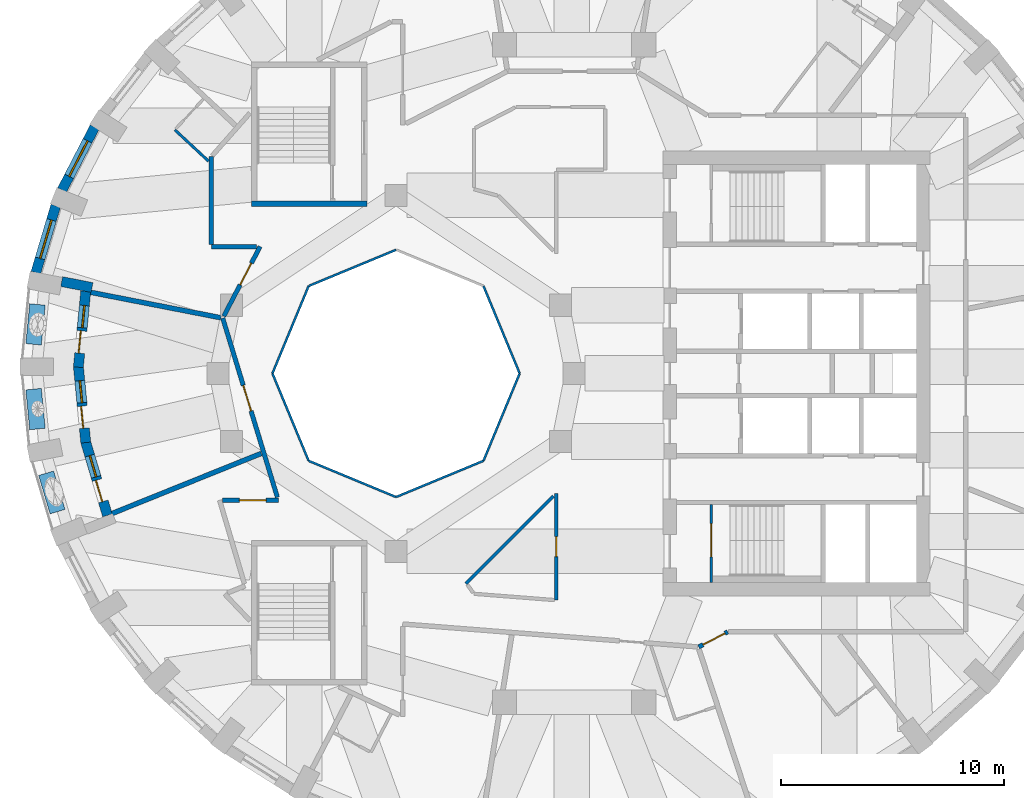
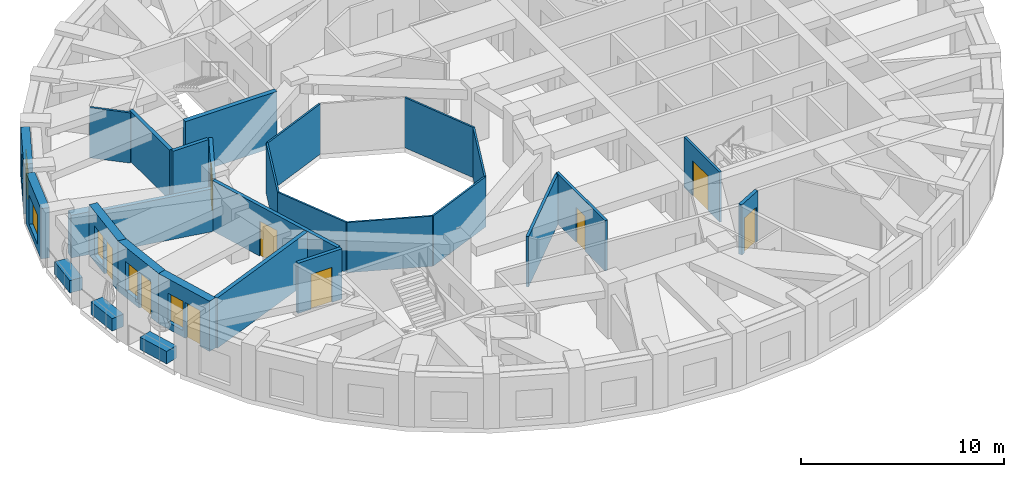
# One storey, part 4 of 12: 29 walls, 9 doors, 5 windows, 14 openings.
"""IFC4 building model written with IfcOpenShell, lengths in metres."""

from ifc_helpers import new_model, si_unit, direction, frame, frame_2d, origin, place, context, subcontext, project, spatial, rectangle, extrude, material, layer, layer_set, constituent, constituent_set, type_object, element, fill, save


model = new_model("IFC4")

# Units and contexts
model_context = context("Model", 3, precision=1e-05, world=origin(), true_north=direction((0.0, 1.0)))
body_context = subcontext(model_context, "Body", "Model", "MODEL_VIEW")
ifc_project = project(units=[si_unit("LENGTHUNIT", "METRE"), si_unit("AREAUNIT", "SQUARE_METRE"), si_unit("VOLUMEUNIT", "CUBIC_METRE"), si_unit("PLANEANGLEUNIT", "RADIAN"), si_unit("MASSUNIT", "GRAM", prefix="KILO")], contexts=[model_context])

# Site, building, storey
site_placement = place(None, origin())
site = spatial("IfcSite", under=ifc_project, at=site_placement, CompositionType="ELEMENT")
building_placement = place(site_placement, origin())
building = spatial("IfcBuilding", under=site, at=building_placement, Name="Taillehof Tower", CompositionType="ELEMENT")
storey_placement = place(building_placement, frame((0.0, 0.0, 233.300048828125)))
storey = spatial("IfcBuildingStorey", under=building, at=storey_placement, Name="L66", CompositionType="ELEMENT", Elevation=233.300048828125)

# Walls
ifc_material_1 = material(Name="Fire-resisting glass in steel frame", Category="steel")
ifc_layer_1 = layer(ifc_material_1, 0.10009765625)
ifc_layer_set_1 = layer_set([ifc_layer_1], Name="Atrium fire-resisting screen EI 60 100")
wall_type_1 = type_object("IfcWallType", Name="Atrium fire-resisting screen EI 60 100", PredefinedType="PARTITIONING", material=ifc_layer_set_1)
for number, where, z_axis, x_axis, name in (
    (1, (-2.44580078125, 0.0, 0.0), (0.0, 0.0, 1.0), (-0.382730523909, -0.923860025149, 0.0), "Atrium screen"),
    (2, (-4.07275390625, -3.92724609375, 0.0), (0.0, 0.0, 1.0), (-0.923860025149, -0.382730523909, 0.0), "Atrium screen"),
    (3, (-8.0, -5.55419921875, 0.0), (0.0, 0.0, 1.0), (-0.923860025149, 0.382730523909, 0.0), "Atrium screen"),
    (4, (-11.92724609375, -3.92724609375, 0.0), (0.0, 0.0, 1.0), (-0.382730523909, 0.923860025149, 0.0), "Atrium screen"),
    (5, (-13.55419921875, 0.0, 0.0), (0.0, 0.0, 1.0), (0.382730523909, 0.923860025149, 0.0), "Atrium screen"),
    (6, (-11.92724609375, 3.92724609375, 0.0), (0.0, 0.0, 1.0), (0.923860025149, 0.382730523909, 0.0), "Atrium screen"),
    (7, (-4.07275390625, 3.92724609375, 0.0), (0.0, 0.0, 1.0), (0.382730523909, -0.923860025149, 0.0), "Atrium screen"),
):
    element("IfcWall", number, at=place(storey_placement, frame(where, z_axis=z_axis, x_axis=x_axis)), inside=storey, type_object=wall_type_1, Name=name, PredefinedType="PARTITIONING", context=body_context, shape_type="SweptSolid", body=[
        extrude(rectangle(XDim=4.2509765625, YDim=0.10009765625, at=frame_2d((2.12548828125, 0.0))), origin(), (0.0, 0.0, 1.0), 3.02001953125),
    ])

# Wall, opening, window
ifc_material_2 = material(Name="Brick masonry", Category="masonry")
ifc_layer_2 = layer(ifc_material_2, 0.449951171875)
ifc_layer_set_2 = layer_set([ifc_layer_2], Name="Brick infill wall 450")
wall_type_2 = type_object("IfcWallType", Name="Brick infill wall 450", PredefinedType="SOLIDWALL", material=ifc_layer_set_2)
wall_1_placement = place(storey_placement, frame((-21.544921875, 11.068359375, 0.0), z_axis=(0.0, 0.0, 1.0), x_axis=(-0.459889857669, -0.887975967475, 0.0)))
wall_1 = element("IfcWall", 8, at=wall_1_placement, inside=storey, type_object=wall_type_2, Name="Brick wall L66 bay 16", PredefinedType="SOLIDWALL", context=body_context, shape_type="SweptSolid", body=[
    extrude(rectangle(XDim=3.185791015625, YDim=0.449951171875, at=frame_2d((1.5927734375, 0.0))), origin(), (0.0, 0.0, 1.0), 3.02001953125),
])
opening_1_placement = place(wall_1_placement, frame((0.69287109375, 0.0, 0.39990234375)))
opening_1 = element("IfcOpeningElement", 9, at=opening_1_placement, cuts=wall_1, Name="Opening W4", PredefinedType="OPENING", context=body_context, shape_type="SweptSolid", body=[
    extrude(rectangle(XDim=1.800048828125, YDim=1.75, at=frame_2d((0.89990234375, 0.875))), frame((0.0, 0.23486328125, 0.0), z_axis=(0.0, -1.0, 0.0), x_axis=(1.0, 0.0, 0.0)), (0.0, 0.0, 1.0), 0.469970703125),
])
ifc_material_3 = material(Name="Aluminium window frame with clear double glazing", Category="aluminium")
window_type_1 = type_object("IfcWindowType", Name="Deep-set window 1800x1750", PartitioningType="SINGLE_PANEL", PredefinedType="WINDOW", material=ifc_material_3)
window_1_placement = place(opening_1_placement, origin())
window_1 = element("IfcWindow", 10, at=window_1_placement, inside=storey, type_object=window_type_1, Name="W4", OverallHeight=1.75, OverallWidth=1.800048828125, PartitioningType="SINGLE_PANEL", PredefinedType="WINDOW", context=body_context, shape_type="SweptSolid", body=[
    extrude(rectangle(XDim=1.800048828125, YDim=1.75, at=frame_2d((0.89990234375, 0.875))), frame((0.0, 0.034912109375, 0.0), z_axis=(0.0, -1.0, 0.0), x_axis=(1.0, 0.0, 0.0)), (0.0, 0.0, 1.0), 0.06005859375),
])
fill(opening_1, window_1)

wall_2_placement = place(storey_placement, frame((-23.29443359375, 7.53466796875, 0.0), z_axis=(0.0, 0.0, 1.0), x_axis=(-0.285263800865, -0.958449040855, 0.0)))
wall_2 = element("IfcWall", 11, at=wall_2_placement, inside=storey, type_object=wall_type_2, Name="Brick wall L66 bay 17", PredefinedType="SOLIDWALL", context=body_context, shape_type="SweptSolid", body=[
    extrude(rectangle(XDim=3.13916015625, YDim=0.449951171875, at=frame_2d((1.569580078125, 0.0))), origin(), (0.0, 0.0, 1.0), 3.02001953125),
])
opening_2_placement = place(wall_2_placement, frame((0.669677734375, 0.0, 0.39990234375)))
opening_2 = element("IfcOpeningElement", 12, at=opening_2_placement, cuts=wall_2, Name="Opening W4", PredefinedType="OPENING", context=body_context, shape_type="SweptSolid", body=[
    extrude(rectangle(XDim=1.800048828125, YDim=1.75, at=frame_2d((0.89990234375, 0.875))), frame((0.0, 0.23486328125, 0.0), z_axis=(0.0, -1.0, 0.0), x_axis=(1.0, 0.0, 0.0)), (0.0, 0.0, 1.0), 0.469970703125),
])
window_2_placement = place(opening_2_placement, origin())
window_2 = element("IfcWindow", 13, at=window_2_placement, inside=storey, type_object=window_type_1, Name="W4", OverallHeight=1.75, OverallWidth=1.800048828125, PartitioningType="SINGLE_PANEL", PredefinedType="WINDOW", context=body_context, shape_type="SweptSolid", body=[
    extrude(rectangle(XDim=1.800048828125, YDim=1.75, at=frame_2d((0.89990234375, 0.875))), frame((0.0, 0.034912109375, 0.0), z_axis=(0.0, -1.0, 0.0), x_axis=(1.0, 0.0, 0.0)), (0.0, 0.0, 1.0), 0.06005859375),
])
fill(opening_2, window_2)

# Wall
wall_3_placement = place(storey_placement, frame((-23.027587890625, 4.126953125, 0.0), z_axis=(0.0, 0.0, 1.0), x_axis=(0.981468844755, -0.191621780535, 0.0)))
element("IfcWall", 14, at=wall_3_placement, inside=storey, type_object=wall_type_2, Name="Brick reveal L66 pocket 5", PredefinedType="SOLIDWALL", context=body_context, shape_type="SweptSolid", body=[
    extrude(rectangle(XDim=1.39013671875, YDim=0.449951171875, at=frame_2d((0.695068359375, 0.0))), origin(), (0.0, 0.0, 1.0), 2.570068359375),
])

# Wall, openings, door, window
wall_4_placement = place(storey_placement, frame((-21.94580078125, 3.6865234375, 0.0), z_axis=(0.0, 0.0, 1.0), x_axis=(-0.096467747711, -0.995336110895, 0.0)))
wall_4 = element("IfcWall", 15, at=wall_4_placement, inside=storey, type_object=wall_type_2, Name="Brick wall L66 pocket bay 18", PredefinedType="SOLIDWALL", context=body_context, shape_type="SweptSolid", body=[
    extrude(rectangle(XDim=3.424072265625, YDim=0.449951171875, at=frame_2d((1.7119140625, 0.0))), origin(), (0.0, 0.0, 1.0), 3.02001953125),
])
opening_3_placement = place(wall_4_placement, frame((0.63720703125, 0.0, 0.39990234375)))
opening_3 = element("IfcOpeningElement", 16, at=opening_3_placement, cuts=wall_4, Name="Opening W5", PredefinedType="OPENING", context=body_context, shape_type="SweptSolid", body=[
    extrude(rectangle(XDim=1.0, YDim=1.75, at=frame_2d((0.5, 0.875))), frame((0.0, 0.23486328125, 0.0), z_axis=(0.0, -1.0, 0.0), x_axis=(1.0, 0.0, 0.0)), (0.0, 0.0, 1.0), 0.469970703125),
])
opening_4_placement = place(wall_4_placement, frame((1.787109375, 0.0, 0.0)))
opening_4 = element("IfcOpeningElement", 17, at=opening_4_placement, cuts=wall_4, Name="Opening D6691", PredefinedType="OPENING", context=body_context, shape_type="SweptSolid", body=[
    extrude(rectangle(XDim=1.0, YDim=2.14990234375, at=frame_2d((0.5, 1.074951171875))), frame((0.0, 0.23486328125, 0.0), z_axis=(0.0, -1.0, 0.0), x_axis=(1.0, 0.0, 0.0)), (0.0, 0.0, 1.0), 0.469970703125),
])
ifc_material_4 = material(Name="Aluminium door frame with clear double glazing", Category="aluminium")
door_type_1 = type_object("IfcDoorType", Name="Balcony door 1000x2150", OperationType="SINGLE_SWING_RIGHT", PredefinedType="DOOR", material=ifc_material_4)
door_1_placement = place(opening_4_placement, frame((1.0, 0.0, 0.0), z_axis=(0.0, 0.0, 1.0), x_axis=(-1.0, 0.0, 0.0)))
door_1 = element("IfcDoor", 18, at=door_1_placement, inside=storey, type_object=door_type_1, Name="Balcony door L66 bay 18", OperationType="SINGLE_SWING_RIGHT", OverallHeight=2.14990234375, OverallWidth=1.0, PredefinedType="DOOR", context=body_context, shape_type="SweptSolid", body=[
    extrude(rectangle(XDim=1.0, YDim=2.14990234375, at=frame_2d((0.5, 1.074951171875))), frame((0.0, 0.0751953125, 0.0), z_axis=(0.0, -1.0, 0.0), x_axis=(1.0, 0.0, 0.0)), (0.0, 0.0, 1.0), 0.050048828125),
])
fill(opening_4, door_1)
ifc_material_5 = material(Name="Aluminium window frame with clear double glazing", Category="aluminium")
window_type_2 = type_object("IfcWindowType", Name="Fixed window 1000x1750", PartitioningType="SINGLE_PANEL", PredefinedType="WINDOW", material=ifc_material_5)
window_3_placement = place(opening_3_placement, origin())
window_3 = element("IfcWindow", 19, at=window_3_placement, inside=storey, type_object=window_type_2, Name="W5", OverallHeight=1.75, OverallWidth=1.0, PartitioningType="SINGLE_PANEL", PredefinedType="WINDOW", context=body_context, shape_type="SweptSolid", body=[
    extrude(rectangle(XDim=1.0, YDim=1.75, at=frame_2d((0.5, 0.875))), frame((0.0, 0.034912109375, 0.0), z_axis=(0.0, -1.0, 0.0), x_axis=(1.0, 0.0, 0.0)), (0.0, 0.0, 1.0), 0.06005859375),
])
fill(opening_3, window_3)

wall_5_placement = place(storey_placement, frame((-22.276123046875, 0.32177734375, 0.0), z_axis=(0.0, 0.0, 1.0), x_axis=(0.096423819494, -0.995340367429, 0.0)))
wall_5 = element("IfcWall", 20, at=wall_5_placement, inside=storey, type_object=wall_type_2, Name="Brick wall L66 pocket bay 19", PredefinedType="SOLIDWALL", context=body_context, shape_type="SweptSolid", body=[
    extrude(rectangle(XDim=3.446044921875, YDim=0.449951171875, at=frame_2d((1.72314453125, 0.0))), origin(), (0.0, 0.0, 1.0), 3.02001953125),
])
opening_5_placement = place(wall_5_placement, frame((0.64794921875, 0.0, 0.39990234375)))
opening_5 = element("IfcOpeningElement", 21, at=opening_5_placement, cuts=wall_5, Name="Opening W5", PredefinedType="OPENING", context=body_context, shape_type="SweptSolid", body=[
    extrude(rectangle(XDim=1.0, YDim=1.75, at=frame_2d((0.5, 0.875))), frame((0.0, 0.23486328125, 0.0), z_axis=(0.0, -1.0, 0.0), x_axis=(1.0, 0.0, 0.0)), (0.0, 0.0, 1.0), 0.469970703125),
])
opening_6_placement = place(wall_5_placement, frame((1.7978515625, 0.0, 0.0)))
opening_6 = element("IfcOpeningElement", 22, at=opening_6_placement, cuts=wall_5, Name="Opening D6692", PredefinedType="OPENING", context=body_context, shape_type="SweptSolid", body=[
    extrude(rectangle(XDim=1.0, YDim=2.14990234375, at=frame_2d((0.5, 1.074951171875))), frame((0.0, 0.23486328125, 0.0), z_axis=(0.0, -1.0, 0.0), x_axis=(1.0, 0.0, 0.0)), (0.0, 0.0, 1.0), 0.469970703125),
])
door_2_placement = place(opening_6_placement, frame((1.0, 0.0, 0.0), z_axis=(0.0, 0.0, 1.0), x_axis=(-1.0, 0.0, 0.0)))
door_2 = element("IfcDoor", 23, at=door_2_placement, inside=storey, type_object=door_type_1, Name="Balcony door L66 bay 19", OperationType="SINGLE_SWING_LEFT", OverallHeight=2.14990234375, OverallWidth=1.0, PredefinedType="DOOR", context=body_context, shape_type="SweptSolid", body=[
    extrude(rectangle(XDim=1.0, YDim=2.14990234375, at=frame_2d((0.5, 1.074951171875))), frame((0.0, 0.0751953125, 0.0), z_axis=(0.0, -1.0, 0.0), x_axis=(1.0, 0.0, 0.0)), (0.0, 0.0, 1.0), 0.050048828125),
])
fill(opening_6, door_2)
window_4_placement = place(opening_5_placement, origin())
window_4 = element("IfcWindow", 24, at=window_4_placement, inside=storey, type_object=window_type_2, Name="W5", OverallHeight=1.75, OverallWidth=1.0, PartitioningType="SINGLE_PANEL", PredefinedType="WINDOW", context=body_context, shape_type="SweptSolid", body=[
    extrude(rectangle(XDim=1.0, YDim=1.75, at=frame_2d((0.5, 0.875))), frame((0.0, 0.034912109375, 0.0), z_axis=(0.0, -1.0, 0.0), x_axis=(1.0, 0.0, 0.0)), (0.0, 0.0, 1.0), 0.06005859375),
])
fill(opening_5, window_4)

wall_6_placement = place(storey_placement, frame((-21.951904296875, -3.06591796875, 0.0), z_axis=(0.0, 0.0, 1.0), x_axis=(0.284437019833, -0.958694728132, 0.0)))
wall_6 = element("IfcWall", 25, at=wall_6_placement, inside=storey, type_object=wall_type_2, Name="Brick wall L66 pocket bay 20", PredefinedType="SOLIDWALL", context=body_context, shape_type="SweptSolid", body=[
    extrude(rectangle(XDim=3.45654296875, YDim=0.449951171875, at=frame_2d((1.728271484375, 0.0))), origin(), (0.0, 0.0, 1.0), 3.02001953125),
])
opening_7_placement = place(wall_6_placement, frame((0.6533203125, 0.0, 0.39990234375)))
opening_7 = element("IfcOpeningElement", 26, at=opening_7_placement, cuts=wall_6, Name="Opening W5", PredefinedType="OPENING", context=body_context, shape_type="SweptSolid", body=[
    extrude(rectangle(XDim=1.0, YDim=1.75, at=frame_2d((0.5, 0.875))), frame((0.0, 0.23486328125, 0.0), z_axis=(0.0, -1.0, 0.0), x_axis=(1.0, 0.0, 0.0)), (0.0, 0.0, 1.0), 0.469970703125),
])
opening_8_placement = place(wall_6_placement, frame((1.80322265625, 0.0, 0.0)))
opening_8 = element("IfcOpeningElement", 27, at=opening_8_placement, cuts=wall_6, Name="Opening D6693", PredefinedType="OPENING", context=body_context, shape_type="SweptSolid", body=[
    extrude(rectangle(XDim=1.0, YDim=2.14990234375, at=frame_2d((0.5, 1.074951171875))), frame((0.0, 0.23486328125, 0.0), z_axis=(0.0, -1.0, 0.0), x_axis=(1.0, 0.0, 0.0)), (0.0, 0.0, 1.0), 0.469970703125),
])
door_3_placement = place(opening_8_placement, frame((1.0, 0.0, 0.0), z_axis=(0.0, 0.0, 1.0), x_axis=(-1.0, 0.0, 0.0)))
door_3 = element("IfcDoor", 28, at=door_3_placement, inside=storey, type_object=door_type_1, Name="Balcony door L66 bay 20", OperationType="SINGLE_SWING_LEFT", OverallHeight=2.14990234375, OverallWidth=1.0, PredefinedType="DOOR", context=body_context, shape_type="SweptSolid", body=[
    extrude(rectangle(XDim=1.0, YDim=2.14990234375, at=frame_2d((0.5, 1.074951171875))), frame((0.0, 0.0751953125, 0.0), z_axis=(0.0, -1.0, 0.0), x_axis=(1.0, 0.0, 0.0)), (0.0, 0.0, 1.0), 0.050048828125),
])
fill(opening_8, door_3)
window_5_placement = place(opening_7_placement, origin())
window_5 = element("IfcWindow", 29, at=window_5_placement, inside=storey, type_object=window_type_2, Name="W5", OverallHeight=1.75, OverallWidth=1.0, PartitioningType="SINGLE_PANEL", PredefinedType="WINDOW", context=body_context, shape_type="SweptSolid", body=[
    extrude(rectangle(XDim=1.0, YDim=1.75, at=frame_2d((0.5, 0.875))), frame((0.0, 0.034912109375, 0.0), z_axis=(0.0, -1.0, 0.0), x_axis=(1.0, 0.0, 0.0)), (0.0, 0.0, 1.0), 0.06005859375),
])
fill(opening_7, window_5)

# Wall, opening, door
ifc_material_6 = material(Name="Gypsum board on steel studs, two layers each side", Category="steel")
ifc_layer_3 = layer(ifc_material_6, 0.199951171875)
ifc_layer_set_3 = layer_set([ifc_layer_3], Name="Compartment wall corridor 200")
wall_type_3 = type_object("IfcWallType", Name="Compartment wall corridor 200", PredefinedType="PARTITIONING", material=ifc_layer_set_3)
wall_7_placement = place(storey_placement, frame((6.902587890625, -11.61865234375, 0.0), z_axis=(0.0, 0.0, 1.0), x_axis=(-0.887353179844, -0.461090375329, 0.0)))
wall_7 = element("IfcWall", 30, at=wall_7_placement, inside=storey, type_object=wall_type_3, Name="Compartment wall", PredefinedType="PARTITIONING", context=body_context, shape_type="SweptSolid", body=[
    extrude(rectangle(XDim=1.465087890625, YDim=0.199951171875, at=frame_2d((0.732421875, 0.0))), origin(), (0.0, 0.0, 1.0), 3.02001953125),
])
opening_9_placement = place(wall_7_placement, frame((0.139892578125, 0.0, 0.0)))
opening_9 = element("IfcOpeningElement", 31, at=opening_9_placement, cuts=wall_7, Name="Opening D6652", PredefinedType="OPENING", context=body_context, shape_type="SweptSolid", body=[
    extrude(rectangle(XDim=1.10009765625, YDim=2.10009765625, at=frame_2d((0.550048828125, 1.050048828125))), frame((0.0, 0.10986328125, 0.0), z_axis=(0.0, -1.0, 0.0), x_axis=(1.0, 0.0, 0.0)), (0.0, 0.0, 1.0), 0.219970703125),
])
ifc_material_7 = material(Name="Timber door leaf in steel frame", Category="steel")
door_type_2 = type_object("IfcDoorType", Name="Accessible guest room door EI 30 1100 x 2100", OperationType="SINGLE_SWING_LEFT", PredefinedType="DOOR", material=ifc_material_7)
door_4_placement = place(opening_9_placement, origin())
door_4 = element("IfcDoor", 32, at=door_4_placement, inside=storey, type_object=door_type_2, Name="D6652", OperationType="SINGLE_SWING_LEFT", OverallHeight=2.10009765625, OverallWidth=1.10009765625, PredefinedType="DOOR", context=body_context, shape_type="SweptSolid", body=[
    extrude(rectangle(XDim=1.10009765625, YDim=2.10009765625, at=frame_2d((0.550048828125, 1.050048828125))), frame((0.0, 0.02490234375, 0.0), z_axis=(0.0, -1.0, 0.0), x_axis=(1.0, 0.0, 0.0)), (0.0, 0.0, 1.0), 0.050048828125),
])
fill(opening_9, door_4)

wall_8_placement = place(storey_placement, frame((-15.788818359375, -5.699951171875, 0.0), z_axis=(0.0, 0.0, 1.0), x_axis=(1.0, 0.0, 0.0)))
wall_8 = element("IfcWall", 33, at=wall_8_placement, inside=storey, type_object=wall_type_3, Name="Compartment wall", PredefinedType="PARTITIONING", context=body_context, shape_type="SweptSolid", body=[
    extrude(rectangle(XDim=2.497314453125, YDim=0.199951171875, at=frame_2d((1.24853515625, 0.0))), origin(), (0.0, 0.0, 1.0), 3.02001953125),
])
opening_10_placement = place(wall_8_placement, frame((0.75048828125, 0.0, 0.0)))
opening_10 = element("IfcOpeningElement", 34, at=opening_10_placement, cuts=wall_8, Name="Opening D6647", PredefinedType="OPENING", context=body_context, shape_type="SweptSolid", body=[
    extrude(rectangle(XDim=1.199951171875, YDim=2.10009765625, at=frame_2d((0.60009765625, 1.050048828125))), frame((0.0, 0.10986328125, 0.0), z_axis=(0.0, -1.0, 0.0), x_axis=(1.0, 0.0, 0.0)), (0.0, 0.0, 1.0), 0.219970703125),
])
ifc_material_8 = material(Name="Timber door leaf in steel frame", Category="steel")
door_type_3 = type_object("IfcDoorType", Name="Suite entrance door EI 30 1200 x 2100", OperationType="SINGLE_SWING_LEFT", PredefinedType="DOOR", material=ifc_material_8)
door_5_placement = place(opening_10_placement, origin())
door_5 = element("IfcDoor", 35, at=door_5_placement, inside=storey, type_object=door_type_3, Name="D6647", OperationType="SINGLE_SWING_RIGHT", OverallHeight=2.10009765625, OverallWidth=1.199951171875, PredefinedType="DOOR", context=body_context, shape_type="SweptSolid", body=[
    extrude(rectangle(XDim=1.199951171875, YDim=2.10009765625, at=frame_2d((0.60009765625, 1.050048828125))), frame((0.0, 0.02490234375, 0.0), z_axis=(0.0, -1.0, 0.0), x_axis=(1.0, 0.0, 0.0)), (0.0, 0.0, 1.0), 0.050048828125),
])
fill(opening_10, door_5)

wall_9_placement = place(storey_placement, frame((-13.33251953125, -5.566650390625, 0.0), z_axis=(0.0, 0.0, 1.0), x_axis=(-0.291732883234, 0.956499830026, 0.0)))
wall_9 = element("IfcWall", 36, at=wall_9_placement, inside=storey, type_object=wall_type_3, Name="Compartment wall", PredefinedType="PARTITIONING", context=body_context, shape_type="SweptSolid", body=[
    extrude(rectangle(XDim=8.417236328125, YDim=0.199951171875, at=frame_2d((4.20849609375, 0.0))), origin(), (0.0, 0.0, 1.0), 3.02001953125),
])
opening_11_placement = place(wall_9_placement, frame((4.052734375, 0.0, 0.0)))
opening_11 = element("IfcOpeningElement", 37, at=opening_11_placement, cuts=wall_9, Name="Opening D6646", PredefinedType="OPENING", context=body_context, shape_type="SweptSolid", body=[
    extrude(rectangle(XDim=1.199951171875, YDim=2.10009765625, at=frame_2d((0.60009765625, 1.050048828125))), frame((0.0, 0.10986328125, 0.0), z_axis=(0.0, -1.0, 0.0), x_axis=(1.0, 0.0, 0.0)), (0.0, 0.0, 1.0), 0.219970703125),
])
door_6_placement = place(opening_11_placement, origin())
door_6 = element("IfcDoor", 38, at=door_6_placement, inside=storey, type_object=door_type_3, Name="D6646", OperationType="SINGLE_SWING_LEFT", OverallHeight=2.10009765625, OverallWidth=1.199951171875, PredefinedType="DOOR", context=body_context, shape_type="SweptSolid", body=[
    extrude(rectangle(XDim=1.199951171875, YDim=2.10009765625, at=frame_2d((0.60009765625, 1.050048828125))), frame((0.0, 0.02490234375, 0.0), z_axis=(0.0, -1.0, 0.0), x_axis=(1.0, 0.0, 0.0)), (0.0, 0.0, 1.0), 0.050048828125),
])
fill(opening_11, door_6)

wall_10_placement = place(storey_placement, frame((-15.74169921875, 2.573486328125, 0.0), z_axis=(0.0, 0.0, 1.0), x_axis=(0.462435860297, 0.886652736482, 0.0)))
wall_10 = element("IfcWall", 39, at=wall_10_placement, inside=storey, type_object=wall_type_3, Name="Compartment wall", PredefinedType="PARTITIONING", context=body_context, shape_type="SweptSolid", body=[
    extrude(rectangle(XDim=3.526123046875, YDim=0.199951171875, at=frame_2d((1.76318359375, 0.0))), origin(), (0.0, 0.0, 1.0), 3.02001953125),
])
opening_12_placement = place(wall_10_placement, frame((1.5859375, 0.0, 0.0)))
opening_12 = element("IfcOpeningElement", 40, at=opening_12_placement, cuts=wall_10, Name="Opening D6644", PredefinedType="OPENING", context=body_context, shape_type="SweptSolid", body=[
    extrude(rectangle(XDim=1.10009765625, YDim=2.10009765625, at=frame_2d((0.550048828125, 1.050048828125))), frame((0.0, 0.10986328125, 0.0), z_axis=(0.0, -1.0, 0.0), x_axis=(1.0, 0.0, 0.0)), (0.0, 0.0, 1.0), 0.219970703125),
])
ifc_material_9 = material(Name="Timber door leaf in steel frame", Category="steel")
door_type_4 = type_object("IfcDoorType", Name="Suite entrance door EI 30 1100 x 2100", OperationType="SINGLE_SWING_LEFT", PredefinedType="DOOR", material=ifc_material_9)
door_7_placement = place(opening_12_placement, origin())
door_7 = element("IfcDoor", 41, at=door_7_placement, inside=storey, type_object=door_type_4, Name="D6644", OperationType="SINGLE_SWING_RIGHT", OverallHeight=2.10009765625, OverallWidth=1.10009765625, PredefinedType="DOOR", context=body_context, shape_type="SweptSolid", body=[
    extrude(rectangle(XDim=1.10009765625, YDim=2.10009765625, at=frame_2d((0.550048828125, 1.050048828125))), frame((0.0, 0.02490234375, 0.0), z_axis=(0.0, -1.0, 0.0), x_axis=(1.0, 0.0, 0.0)), (0.0, 0.0, 1.0), 0.050048828125),
])
fill(opening_12, door_7)

# Walls
wall_11_placement = place(storey_placement, frame((-14.271240234375, 5.699951171875, 0.0), z_axis=(0.0, 0.0, 1.0), x_axis=(-1.0, 0.0, 0.0)))
element("IfcWall", 42, at=wall_11_placement, inside=storey, type_object=wall_type_3, Name="Compartment wall", PredefinedType="PARTITIONING", context=body_context, shape_type="SweptSolid", body=[
    extrude(rectangle(XDim=2.02880859375, YDim=0.199951171875, at=frame_2d((1.014404296875, 0.0))), origin(), (0.0, 0.0, 1.0), 3.02001953125),
])
wall_12_placement = place(storey_placement, frame((-16.300048828125, 5.800048828125, 0.0), z_axis=(0.0, 0.0, 1.0), x_axis=(0.0, 1.0, 0.0)))
element("IfcWall", 43, at=wall_12_placement, inside=storey, type_object=wall_type_3, Name="Compartment wall", PredefinedType="PARTITIONING", context=body_context, shape_type="SweptSolid", body=[
    extrude(rectangle(XDim=3.938720703125, YDim=0.199951171875, at=frame_2d((1.96923828125, 0.0))), origin(), (0.0, 0.0, 1.0), 3.02001953125),
])
ifc_material_10 = material(Name="Gypsum board on double steel studs with mineral wool", Category="steel")
ifc_layer_4 = layer(ifc_material_10, 0.219970703125)
ifc_layer_set_4 = layer_set([ifc_layer_4], Name="Compartment wall guest room 220")
wall_type_4 = type_object("IfcWallType", Name="Compartment wall guest room 220", PredefinedType="PARTITIONING", material=ifc_layer_set_4)
wall_13_placement = place(storey_placement, frame((-21.723876953125, 3.643310546875, 0.0), z_axis=(0.0, 0.0, 1.0), x_axis=(0.981479525595, -0.191567066159, 0.0)))
element("IfcWall", 44, at=wall_13_placement, inside=storey, type_object=wall_type_4, Name="Compartment wall", PredefinedType="PARTITIONING", context=body_context, shape_type="SweptSolid", body=[
    extrude(rectangle(XDim=5.96826171875, YDim=0.219970703125, at=frame_2d((2.984130859375, 0.0))), origin(), (0.0, 0.0, 1.0), 2.570068359375),
])
wall_14_placement = place(storey_placement, frame((-20.759033203125, -6.295166015625, 0.0), z_axis=(0.0, 0.0, 1.0), x_axis=(0.927536731172, 0.373732006023, 0.0)))
element("IfcWall", 45, at=wall_14_placement, inside=storey, type_object=wall_type_4, Name="Compartment wall", PredefinedType="PARTITIONING", context=body_context, shape_type="SweptSolid", body=[
    extrude(rectangle(XDim=7.2236328125, YDim=0.219970703125, at=frame_2d((3.61181640625, 0.0))), origin(), (0.0, 0.0, 1.0), 3.02001953125),
])

# Wall, opening, door
ifc_material_11 = material(Name="Gypsum board on steel studs, two layers each side", Category="steel")
ifc_layer_5 = layer(ifc_material_11, 0.14990234375)
ifc_layer_set_5 = layer_set([ifc_layer_5], Name="Compartment wall service room 150")
wall_type_5 = type_object("IfcWallType", Name="Compartment wall service room 150", PredefinedType="PARTITIONING", material=ifc_layer_set_5)
wall_15_placement = place(storey_placement, frame((-0.800048828125, -5.386474609375, 0.0), z_axis=(0.0, 0.0, 1.0), x_axis=(0.0, -1.0, 0.0)))
wall_15 = element("IfcWall", 46, at=wall_15_placement, inside=storey, type_object=wall_type_5, Name="Compartment wall", PredefinedType="PARTITIONING", context=body_context, shape_type="SweptSolid", body=[
    extrude(rectangle(XDim=4.805419921875, YDim=0.14990234375, at=frame_2d((2.40283203125, 0.0))), origin(), (0.0, 0.0, 1.0), 3.02001953125),
])
opening_13_placement = place(wall_15_placement, frame((1.95263671875, 0.0, 0.0)))
opening_13 = element("IfcOpeningElement", 47, at=opening_13_placement, cuts=wall_15, Name="Opening D6659", PredefinedType="OPENING", context=body_context, shape_type="SweptSolid", body=[
    extrude(rectangle(XDim=0.89990234375, YDim=2.10009765625, at=frame_2d((0.449951171875, 1.050048828125))), frame((0.0, 0.0849609375, 0.0), z_axis=(0.0, -1.0, 0.0), x_axis=(1.0, 0.0, 0.0)), (0.0, 0.0, 1.0), 0.169921875),
])
ifc_material_12 = material(Name="Timber door leaf in steel frame", Category="steel")
door_type_5 = type_object("IfcDoorType", Name="Service room door EI 30 900 x 2100", OperationType="SINGLE_SWING_LEFT", PredefinedType="DOOR", material=ifc_material_12)
door_8_placement = place(opening_13_placement, origin())
door_8 = element("IfcDoor", 48, at=door_8_placement, inside=storey, type_object=door_type_5, Name="D6659", OperationType="SINGLE_SWING_RIGHT", OverallHeight=2.10009765625, OverallWidth=0.89990234375, PredefinedType="DOOR", context=body_context, shape_type="SweptSolid", body=[
    extrude(rectangle(XDim=0.89990234375, YDim=2.10009765625, at=frame_2d((0.449951171875, 1.050048828125))), frame((0.0, 0.02490234375, 0.0), z_axis=(0.0, -1.0, 0.0), x_axis=(1.0, 0.0, 0.0)), (0.0, 0.0, 1.0), 0.050048828125),
])
fill(opening_13, door_8)

# Walls
wall_16_placement = place(storey_placement, frame((-4.863525390625, -9.449951171875, 0.0), z_axis=(0.0, 0.0, 1.0), x_axis=(0.707106781187, 0.707106781187, 0.0)))
element("IfcWall", 49, at=wall_16_placement, inside=storey, type_object=wall_type_5, Name="Compartment wall", PredefinedType="PARTITIONING", context=body_context, shape_type="SweptSolid", body=[
    extrude(rectangle(XDim=5.56640625, YDim=0.14990234375, at=frame_2d((2.783203125, 0.0))), origin(), (0.0, 0.0, 1.0), 3.02001953125),
])
ifc_material_13 = material(Name="Gypsum board on steel studs, moisture resistant", Category="steel")
ifc_layer_6 = layer(ifc_material_13, 0.1201171875)
ifc_layer_set_6 = layer_set([ifc_layer_6], Name="En-suite wall 120")
wall_type_6 = type_object("IfcWallType", Name="En-suite wall 120", PredefinedType="PARTITIONING", material=ifc_layer_set_6)
wall_17_placement = place(storey_placement, frame((-16.429443359375, 9.541259765625, 0.0), z_axis=(0.0, 0.0, 1.0), x_axis=(-0.732625124054, 0.680632373315, 0.0)))
element("IfcWall", 50, at=wall_17_placement, inside=storey, type_object=wall_type_6, Name="En-suite wall", PredefinedType="PARTITIONING", context=body_context, shape_type="SweptSolid", body=[
    extrude(rectangle(XDim=2.066162109375, YDim=0.1201171875, at=frame_2d((1.033203125, 0.0))), origin(), (0.0, 0.0, 1.0), 3.02001953125),
])
ifc_material_14 = material(Name="Concrete C30/37 precast", Category="concrete")
ifc_constituent_1 = constituent(ifc_material_14, Name="Structure", Category="concrete")
ifc_material_15 = material(Name="Insulated lining")
ifc_constituent_2 = constituent(ifc_material_15, Name="Lining")
ifc_constituent_set = constituent_set(constituents=[ifc_constituent_1, ifc_constituent_2], Name="Planter trough 700x750")
wall_type_7 = type_object("IfcWallType", Name="Planter trough 700x750", PredefinedType="USERDEFINED", material=ifc_constituent_set)
for number, where, z_axis, x_axis, name in (
    (51, (-24.11572265625, 3.09814453125, 0.0), (0.0, 0.0, 1.0), (-0.096709987215, -0.995312603343, 0.0), "Planter L66 bay 18"),
    (52, (-24.289794921875, -0.70654296875, 0.0), (0.0, 0.0, 1.0), (0.096709987215, -0.995312603343, 0.0), "Planter L66 bay 19"),
    (53, (-23.725830078125, -4.486083984375, 0.0), (0.0, 0.0, 1.0), (0.285219480859, -0.958462230731, 0.0), "Planter L66 bay 20"),
):
    element("IfcWall", number, at=place(storey_placement, frame(where, z_axis=z_axis, x_axis=x_axis)), inside=storey, type_object=wall_type_7, Name=name, ObjectType="PLANTER", PredefinedType="USERDEFINED", context=body_context, shape_type="SweptSolid", body=[
        extrude(rectangle(XDim=1.800048828125, YDim=0.699951171875, at=frame_2d((0.89990234375, 0.0))), origin(), (0.0, 0.0, 1.0), 0.75),
    ])

# Wall, opening, door
ifc_material_16 = material(Name="Concrete C50/60", Category="concrete")
ifc_layer_7 = layer(ifc_material_16, 0.1201171875)
ifc_layer_set_7 = layer_set([ifc_layer_7], Name="Stair lobby wall C50/60 120")
wall_type_8 = type_object("IfcWallType", Name="Stair lobby wall C50/60 120", PredefinedType="SHEAR", material=ifc_layer_set_7)
wall_18_placement = place(storey_placement, frame((6.159912109375, -9.39990234375, 0.0), z_axis=(0.0, 0.0, 1.0), x_axis=(0.0, 1.0, 0.0)))
wall_18 = element("IfcWall", 54, at=wall_18_placement, inside=storey, type_object=wall_type_8, Name="Compartment wall SW", PredefinedType="SHEAR", context=body_context, shape_type="SweptSolid", body=[
    extrude(rectangle(XDim=3.5, YDim=0.1201171875, at=frame_2d((1.75, 0.0))), origin(), (0.0, 0.0, 1.0), 3.02001953125),
])
opening_14_placement = place(wall_18_placement, frame((1.14990234375, 0.0, 0.0)))
opening_14 = element("IfcOpeningElement", 55, at=opening_14_placement, cuts=wall_18, Name="Opening D6611", PredefinedType="OPENING", context=body_context, shape_type="SweptSolid", body=[
    extrude(rectangle(XDim=1.5, YDim=2.10009765625, at=frame_2d((0.75, 1.050048828125))), frame((0.0, 0.070068359375, 0.0), z_axis=(0.0, -1.0, 0.0), x_axis=(1.0, 0.0, 0.0)), (0.0, 0.0, 1.0), 0.14013671875),
])
ifc_material_17 = material(Name="Steel-faced fire door", Category="steel")
door_type_6 = type_object("IfcDoorType", Name="Stair door 1500x2100", OperationType="DOUBLE_DOOR_SINGLE_SWING", PredefinedType="DOOR", material=ifc_material_17)
door_9_placement = place(opening_14_placement, origin())
door_9 = element("IfcDoor", 56, at=door_9_placement, inside=storey, type_object=door_type_6, Name="Stair lobby door S2", OperationType="DOUBLE_DOOR_SINGLE_SWING", OverallHeight=2.10009765625, OverallWidth=1.5, PredefinedType="DOOR", context=body_context, shape_type="SweptSolid", body=[
    extrude(rectangle(XDim=1.5, YDim=2.10009765625, at=frame_2d((0.75, 1.050048828125))), frame((0.0, 0.02490234375, 0.0), z_axis=(0.0, -1.0, 0.0), x_axis=(1.0, 0.0, 0.0)), (0.0, 0.0, 1.0), 0.050048828125),
])
fill(opening_14, door_9)

# Wall
ifc_material_18 = material(Name="Concrete C50/60", Category="concrete")
ifc_layer_8 = layer(ifc_material_18, 0.25)
ifc_layer_set_8 = layer_set([ifc_layer_8], Name="Stair wall C50/60 250")
wall_type_9 = type_object("IfcWallType", Name="Stair wall C50/60 250", PredefinedType="SHEAR", material=ifc_layer_set_8)
wall_19_placement = place(storey_placement, frame((-14.5, 7.625, -0.280029296875), z_axis=(0.0, 0.0, 1.0), x_axis=(1.0, 0.0, 0.0)))
element("IfcWall", 57, at=wall_19_placement, inside=storey, type_object=wall_type_9, Name="Stair wall SC", PredefinedType="SHEAR", context=body_context, shape_type="SweptSolid", body=[
    extrude(rectangle(XDim=5.199951171875, YDim=0.25, at=frame_2d((2.60009765625, 0.0))), origin(), (0.0, 0.0, 1.0), 3.300048828125),
])

save(model, "model.ifc")
